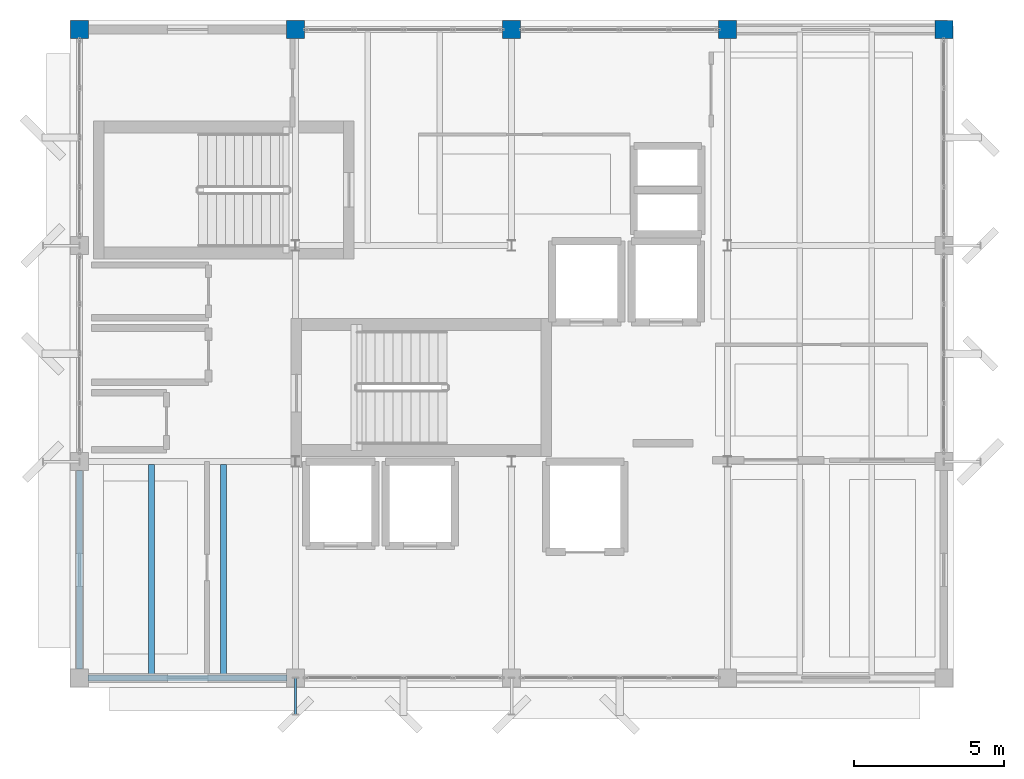
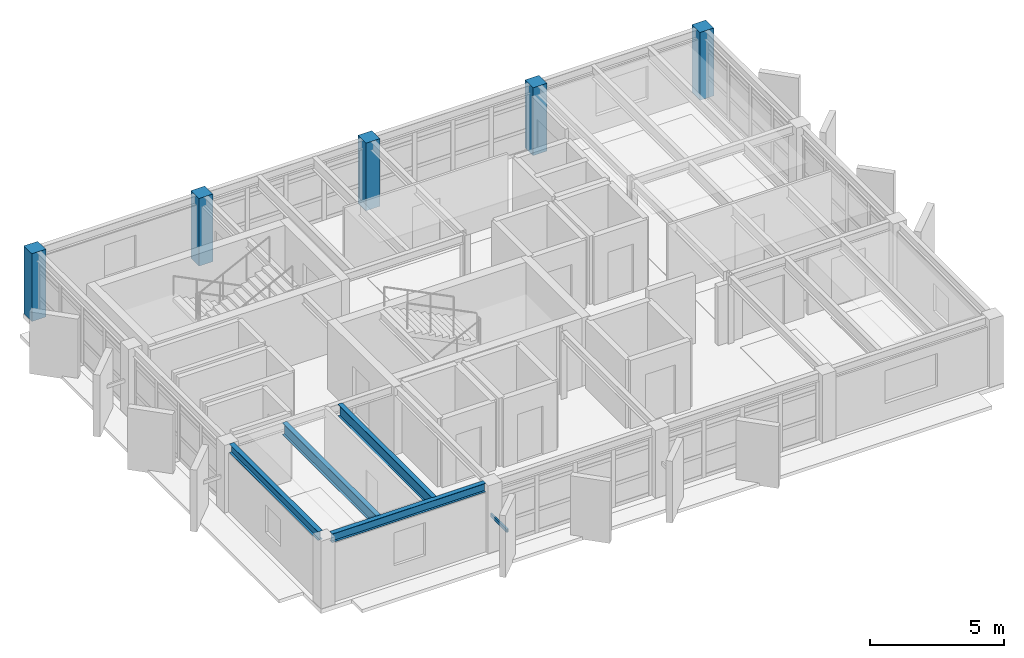
# One storey, part 2 of 15: 5 columns, 4 beams, 1 member.
"""IFC4 building model written with IfcOpenShell, lengths in metres."""

import ifcopenshell
import ifcopenshell.guid

model = None  # the IFC model being written
_history = None  # IfcOwnerHistory: only IFC2X3 demands one
_inside = {}  # id of a spatial element -> (the spatial element, [elements in it])
_under = {}  # id of a project, library or spatial element -> (it, [spatial elements below it])
_declared = {}  # id of a project -> (the project, [libraries it declares])
_typed = {}  # id of a type object -> (the type object, [elements of that type])
_made_of = {}  # id of a material, layer set ... -> (it, [elements and type objects made of it])


def new_model(schema):
    """Start an empty IFC model of exactly this schema.

    Asked for "IFC4X3", IfcOpenShell would pick the latest addendum, in which some entities
    have other attributes; the version numbers below select the first issue.
    IFC2X3 requires an IfcOwnerHistory on every rooted entity: one is made here for all.
    """
    global model, _history
    if schema == "IFC4X3":
        model = ifcopenshell.file(schema_version=(4, 3, 0, 0))
    else:
        model = ifcopenshell.file(schema=schema)
    _inside.clear()
    _under.clear()
    _declared.clear()
    _typed.clear()
    _made_of.clear()
    _history = None
    if model.schema == "IFC2X3":
        org = make("IfcOrganization", Name="unknown")
        user = make(
            "IfcPersonAndOrganization",
            ThePerson=make("IfcPerson", FamilyName="unknown"),
            TheOrganization=org,
        )
        app = make(
            "IfcApplication",
            ApplicationDeveloper=org,
            Version="unknown",
            ApplicationFullName="unknown",
            ApplicationIdentifier="unknown",
        )
        _history = make(
            "IfcOwnerHistory",
            OwningUser=user,
            OwningApplication=app,
            ChangeAction="ADDED",
            CreationDate=0,
        )
    return model


def make(cls, **values):
    """One entity of the class cls with the attributes given. An attribute that is None is left unset."""
    return model.create_entity(
        cls, **{name: value for name, value in values.items() if value is not None}
    )


def rooted(cls, **values):
    """An entity with a GlobalId (a new one), such as an element, a storey or a relation."""
    return make(cls, GlobalId=ifcopenshell.guid.new(), OwnerHistory=_history, **values)


def si_unit(unit_type, name, prefix=None):
    """IfcSIUnit, for example si_unit("LENGTHUNIT", "METRE", prefix="MILLI")."""
    return make("IfcSIUnit", UnitType=unit_type, Prefix=prefix, Name=name)


def assignment(units):
    """IfcUnitAssignment: the units of a project."""
    return None if units is None else make("IfcUnitAssignment", Units=units)


def point(xyz):
    """IfcCartesianPoint."""
    return None if xyz is None else make("IfcCartesianPoint", Coordinates=xyz)


def direction(xyz):
    """IfcDirection."""
    return None if xyz is None else make("IfcDirection", DirectionRatios=xyz)


def frame(location, z_axis=None, x_axis=None):
    """IfcAxis2Placement3D, a coordinate frame: its origin and axes. An axis left out is left unset."""
    return make(
        "IfcAxis2Placement3D",
        Location=point(location),
        Axis=direction(z_axis),
        RefDirection=direction(x_axis),
    )


def frame_2d(location, x_axis=None):
    """IfcAxis2Placement2D, a coordinate frame in the plane: its origin and x axis."""
    return make(
        "IfcAxis2Placement2D", Location=point(location), RefDirection=direction(x_axis)
    )


def origin():
    """The frame at (0, 0, 0) with its axes left unset."""
    return frame((0.0, 0.0, 0.0))


def origin_2d():
    """The frame at (0, 0) in the plane with its x axis left unset."""
    return frame_2d((0.0, 0.0))


def place(relative_to, where):
    """IfcLocalPlacement: puts the frame where relative to a parent placement (None: the world)."""
    return make(
        "IfcLocalPlacement", PlacementRelTo=relative_to, RelativePlacement=where
    )


def context(
    kind, dimensions, precision=None, world=None, true_north=None, identifier=None
):
    """IfcGeometricRepresentationContext, for example the 3D "Model" context."""
    return make(
        "IfcGeometricRepresentationContext",
        ContextIdentifier=identifier,
        ContextType=kind,
        CoordinateSpaceDimension=dimensions,
        Precision=precision,
        WorldCoordinateSystem=world,
        TrueNorth=true_north,
    )


def subcontext(parent, identifier, kind, view, scale=None):
    """IfcGeometricRepresentationSubContext, for example "Body" below "Model"."""
    return make(
        "IfcGeometricRepresentationSubContext",
        ContextIdentifier=identifier,
        ContextType=kind,
        ParentContext=parent,
        TargetScale=scale,
        TargetView=view,
    )


def project(units=None, contexts=None):
    """IfcProject with its units and contexts."""
    return rooted(
        "IfcProject",
        Name="project",
        RepresentationContexts=contexts,
        UnitsInContext=assignment(units),
    )


def spatial(cls, under=None, at=None, **own):
    """A site, building, storey or space (cls), placed at a placement, below another one or the project."""
    s = rooted(cls, ObjectPlacement=at, **own)
    if under is not None:
        _under.setdefault(under.id(), (under, []))[1].append(s)
    return s


def profile(cls, at=None, kind="AREA", **sizes):
    """A parametric profile (cls). Its sizes go by their IFC names, for example OverallWidth=200.0."""
    return make(cls, ProfileType=kind, Position=at, **sizes)


def rectangle(**sizes):
    """IfcRectangleProfileDef."""
    return profile("IfcRectangleProfileDef", **sizes)


def hollow_rectangle(**sizes):
    """IfcRectangleHollowProfileDef."""
    return profile("IfcRectangleHollowProfileDef", **sizes)


def i_section(**sizes):
    """IfcIShapeProfileDef."""
    return profile("IfcIShapeProfileDef", **sizes)


def extrude(swept, where, along, depth):
    """IfcExtrudedAreaSolid: the profile swept, set in the frame where, extruded along a direction by depth."""
    return make(
        "IfcExtrudedAreaSolid",
        SweptArea=swept,
        Position=where,
        ExtrudedDirection=direction(along),
        Depth=depth,
    )


def shape(context_of_items, identifier, shape_type, items):
    """IfcShapeRepresentation: the items that make up one representation, for example the "Body"."""
    return make(
        "IfcShapeRepresentation",
        ContextOfItems=context_of_items,
        RepresentationIdentifier=identifier,
        RepresentationType=shape_type,
        Items=items,
    )


def material(Name=None, Category=None):
    """IfcMaterial."""
    return make("IfcMaterial", Name=Name, Category=Category)


def material_profile(
    of_material, cross_section, Name=None, Category=None, Priority=None
):
    """IfcMaterialProfile: a cross section and its material."""
    return make(
        "IfcMaterialProfile",
        Name=Name,
        Material=of_material,
        Profile=cross_section,
        Priority=Priority,
        Category=Category,
    )


def profile_set(profiles, Name=None, composite=None):
    """IfcMaterialProfileSet."""
    return make(
        "IfcMaterialProfileSet",
        Name=Name,
        MaterialProfiles=profiles,
        CompositeProfile=composite,
    )


def made_of(thing, what):
    """Note that an element or type object is made of a material, layer set ...; save() writes the relation."""
    if what is not None:
        _made_of.setdefault(what.id(), (what, []))[1].append(thing)
    return thing


def type_object(cls, material=None, **own):
    """A type object (cls), such as IfcWallType, which elements share."""
    return made_of(rooted(cls, **own), material)


def element(
    cls,
    number,
    at=None,
    inside=None,
    cuts=None,
    type_object=None,
    material=None,
    context=None,
    identifier="Body",
    shape_type=None,
    held_by="IfcProductDefinitionShape",
    body=None,
    shapes=None,
    **own,
):
    """One element of the class cls, such as IfcWall. Its Tag is "e" and its number.

    at: its placement. inside: the storey or other place that contains it. cuts: it is an
    opening in that element (IfcRelVoidsElement). A single representation is given by context,
    identifier, shape_type and body (its items); several are given by shapes. held_by: the class
    of the entity that holds the representations. save() writes the other relations.
    """
    e = rooted(cls, Tag="e%d" % number, ObjectPlacement=at, **own)
    if body is not None:
        shapes = [shape(context, identifier, shape_type, body)]
    if shapes is not None:
        e.Representation = make(held_by, Representations=shapes)
    if inside is not None:
        _inside.setdefault(inside.id(), (inside, []))[1].append(e)
    if cuts is not None:
        rooted(
            "IfcRelVoidsElement", RelatingBuildingElement=cuts, RelatedOpeningElement=e
        )
    if type_object is not None:
        _typed.setdefault(type_object.id(), (type_object, []))[1].append(e)
    return made_of(e, material)


def aggregate(whole, parts):
    """IfcRelAggregates: a whole, such as a stair, and the parts it consists of."""
    return rooted("IfcRelAggregates", RelatingObject=whole, RelatedObjects=parts)


def save(model, path):
    """Write the relations noted so far, then the file.

    IfcRelAggregates (storeys below a building ...), IfcRelContainedInSpatialStructure (elements
    in a storey), IfcRelDefinesByType, IfcRelAssociatesMaterial and IfcRelDeclares: one each for
    every whole, place, type object, material and project.
    """
    for whole, parts in _under.values():
        aggregate(whole, parts)
    for where, things in _inside.values():
        rooted(
            "IfcRelContainedInSpatialStructure",
            RelatedElements=things,
            RelatingStructure=where,
        )
    for kind, things in _typed.values():
        rooted("IfcRelDefinesByType", RelatedObjects=things, RelatingType=kind)
    for what, things in _made_of.values():
        rooted("IfcRelAssociatesMaterial", RelatedObjects=things, RelatingMaterial=what)
    for by, libraries in _declared.values():
        rooted("IfcRelDeclares", RelatingContext=by, RelatedDefinitions=libraries)
    model.write(path)


model = new_model("IFC4")

# Units and contexts
model_context = context("Model", 3, precision=1e-05, world=origin(), true_north=direction((0.0, 1.0)))
body_context = subcontext(model_context, "Body", "Model", "MODEL_VIEW")
ifc_project = project(units=[si_unit("LENGTHUNIT", "METRE"), si_unit("AREAUNIT", "SQUARE_METRE"), si_unit("VOLUMEUNIT", "CUBIC_METRE"), si_unit("PLANEANGLEUNIT", "RADIAN"), si_unit("MASSUNIT", "GRAM", prefix="KILO")], contexts=[model_context])

# Site, building, storey
site_placement = place(None, origin())
site = spatial("IfcSite", under=ifc_project, at=site_placement, CompositionType="ELEMENT")
building_placement = place(site_placement, origin())
building = spatial("IfcBuilding", under=site, at=building_placement, Name="Kandorven Conservatory and Botanical Research Centre", CompositionType="ELEMENT")
storey_placement = place(building_placement, frame((0.0, 0.0, 56.10009765625)))
storey = spatial("IfcBuildingStorey", under=building, at=storey_placement, Name="L14", CompositionType="ELEMENT", Elevation=56.10009765625)

# Columns
ifc_material_1 = material(Name="Concrete C40/50 (M50)", Category="concrete")
ifc_material_profile_1 = material_profile(ifc_material_1, rectangle(XDim=0.60009765625, YDim=0.60009765625, at=origin_2d()))
ifc_profile_set_1 = profile_set([ifc_material_profile_1], Name="Concrete C40/50 (M50)")
column_type = type_object("IfcColumnType", Name="Col_TC-04", PredefinedType="COLUMN", material=ifc_profile_set_1)
for number, where, z_axis, x_axis, name in (
    (1, (6.0, 27.60009765625, 0.0), (0.0, 0.0, 1.0), (1.0, 0.0, 0.0), "Column TC-04 TWR L14 (1,4)"),
    (2, (13.199951171875, 27.60009765625, 0.0), (0.0, 0.0, 1.0), (1.0, 0.0, 0.0), "Column TC-04 TWR L14 (2,4)"),
    (3, (20.39990234375, 27.60009765625, 0.0), (0.0, 0.0, 1.0), (1.0, 0.0, 0.0), "Column TC-04 TWR L14 (3,4)"),
    (4, (27.60009765625, 27.60009765625, 0.0), (0.0, 0.0, 1.0), (1.0, 0.0, 0.0), "Column TC-04 TWR L14 (4,4)"),
    (5, (34.800048828125, 27.60009765625, 0.0), (0.0, 0.0, 1.0), (1.0, 0.0, 0.0), "Column TC-04 TWR L14 (5,4)"),
):
    element("IfcColumn", number, at=place(storey_placement, frame(where, z_axis=z_axis, x_axis=x_axis)), inside=storey, type_object=column_type, Name=name, PredefinedType="COLUMN", context=body_context, shape_type="SweptSolid", body=[
        extrude(rectangle(XDim=0.60009765625, YDim=0.60009765625, at=origin_2d()), origin(), (0.0, 0.0, 1.0), 3.087890625),
    ])

# Beams
ifc_material_2 = material(Name="Steel S355 (IS 2062 E350)", Category="steel")
ifc_material_profile_2 = material_profile(ifc_material_2, i_section(OverallWidth=0.199951171875, OverallDepth=0.39990234375, WebThickness=0.008544921875, FlangeThickness=0.012939453125, at=origin_2d()))
ifc_profile_set_2 = profile_set([ifc_material_profile_2], Name="Steel S355 (IS 2062 E350)")
beam_type_1 = type_object("IfcBeamType", Name="Beam_FG-03", PredefinedType="USERDEFINED", material=ifc_profile_set_2)
for number, where, z_axis, x_axis, name in (
    (6, (6.2900390625, 6.0, 2.887939453125), (1.0, 0.0, 0.0), (0.0, 1.0, 0.0), "Primary girder FG-03 TWR L14"),
    (7, (6.0, 6.2900390625, 2.887939453125), (0.0, 1.0, 0.0), (-1.0, 0.0, 0.0), "Primary girder FG-03 TWR L14"),
):
    element("IfcBeam", number, at=place(storey_placement, frame(where, z_axis=z_axis, x_axis=x_axis)), inside=storey, type_object=beam_type_1, Name=name, ObjectType="GIRDER", PredefinedType="USERDEFINED", context=body_context, shape_type="SweptSolid", body=[
        extrude(i_section(OverallWidth=0.199951171875, OverallDepth=0.39990234375, WebThickness=0.008544921875, FlangeThickness=0.012939453125, at=origin_2d()), origin(), (0.0, 0.0, 1.0), 6.619873046875),
    ])
ifc_material_3 = material(Name="Steel S355 (IS 2062 E350)", Category="steel")
ifc_material_profile_3 = material_profile(ifc_material_3, i_section(OverallWidth=0.18994140625, OverallDepth=0.550048828125, WebThickness=0.01123046875, FlangeThickness=0.019287109375, at=origin_2d()))
ifc_profile_set_3 = profile_set([ifc_material_profile_3], Name="Steel S355 (IS 2062 E350)")
beam_type_2 = type_object("IfcBeamType", Name="Beam_SB-02", PredefinedType="BEAM", material=ifc_profile_set_3)
for number, where, z_axis, x_axis, name in (
    (8, (8.39990234375, 6.0849609375, 2.81298828125), (0.0, 1.0, 0.0), (-1.0, 0.0, 0.0), "Composite secondary beam SB-02 TWR L14"),
    (9, (10.800048828125, 6.0849609375, 2.81298828125), (0.0, 1.0, 0.0), (-1.0, 0.0, 0.0), "Composite secondary beam SB-02 TWR L14"),
):
    element("IfcBeam", number, at=place(storey_placement, frame(where, z_axis=z_axis, x_axis=x_axis)), inside=storey, type_object=beam_type_2, Name=name, PredefinedType="BEAM", context=body_context, shape_type="SweptSolid", body=[
        extrude(i_section(OverallWidth=0.18994140625, OverallDepth=0.550048828125, WebThickness=0.01123046875, FlangeThickness=0.019287109375, at=origin_2d()), origin(), (0.0, 0.0, 1.0), 7.030029296875),
    ])

# Member
ifc_material_4 = material(Name="Steel S355 (IS 2062 E350)", Category="steel")
ifc_material_profile_4 = material_profile(ifc_material_4, hollow_rectangle(XDim=0.074951171875, YDim=0.14990234375, WallThickness=0.006103515625, at=origin_2d()))
ifc_profile_set_4 = profile_set([ifc_material_profile_4], Name="Steel S355 (IS 2062 E350)")
member_type = type_object("IfcMemberType", Name="Mem_SF-01", PredefinedType="STRUT", material=ifc_profile_set_4)
member_placement = place(storey_placement, frame((13.199951171875, 6.0, 1.5), z_axis=(0.0, -1.0, 0.0), x_axis=(1.0, 0.0, 0.0)))
element("IfcMember", 10, at=member_placement, inside=storey, type_object=member_type, Name="Solar fin steel outrigger strut SF-01 #121", PredefinedType="STRUT", context=body_context, shape_type="SweptSolid", body=[
    extrude(hollow_rectangle(XDim=0.074951171875, YDim=0.14990234375, WallThickness=0.006103515625, at=origin_2d()), origin(), (0.0, 0.0, 1.0), 1.219970703125),
])

save(model, "model.ifc")
